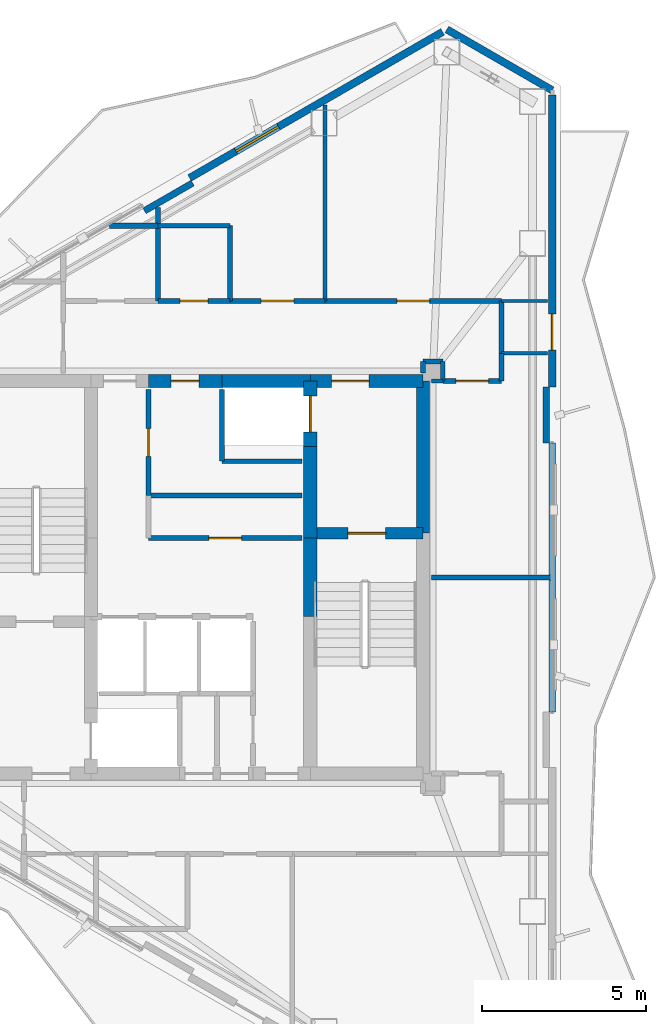
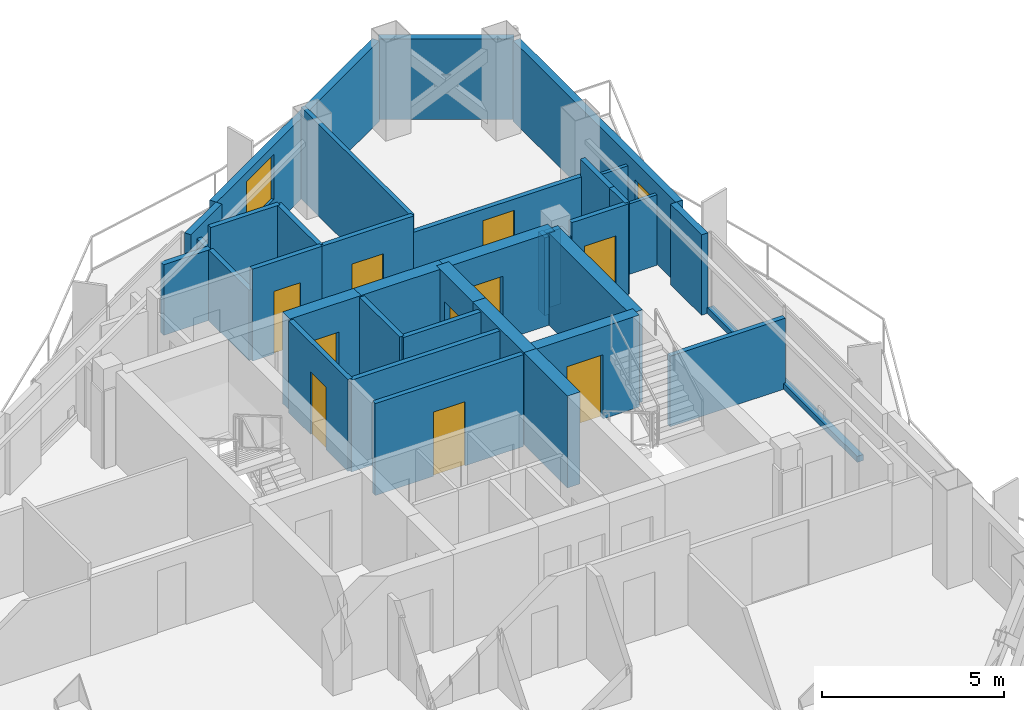
# One storey, part 16 of 18: 37 walls, 11 doors, 1 window, 12 openings.
"""IFC4 building model written with IfcOpenShell, lengths in metres."""

from ifc_helpers import new_model, si_unit, direction, frame, frame_2d, origin, place, context, subcontext, project, spatial, rectangle, extrude, material, layer, layer_set, type_object, element, fill, save


model = new_model("IFC4")

# Units and contexts
model_context = context("Model", 3, precision=1e-05, world=origin(), true_north=direction((0.0, 1.0)))
body_context = subcontext(model_context, "Body", "Model", "MODEL_VIEW")
ifc_project = project(units=[si_unit("LENGTHUNIT", "METRE"), si_unit("AREAUNIT", "SQUARE_METRE"), si_unit("VOLUMEUNIT", "CUBIC_METRE"), si_unit("PLANEANGLEUNIT", "RADIAN"), si_unit("MASSUNIT", "GRAM", prefix="KILO")], contexts=[model_context])

# Site, building, storey
site_placement = place(None, origin())
site = spatial("IfcSite", under=ifc_project, at=site_placement, CompositionType="ELEMENT")
building_placement = place(site_placement, origin())
building = spatial("IfcBuilding", under=site, at=building_placement, Name="Mersakhor Tower and Convention Hall", CompositionType="ELEMENT")
storey_placement = place(building_placement, frame((0.0, 0.0, 233.10009765625)))
storey = spatial("IfcBuildingStorey", under=building, at=storey_placement, Name="L65", CompositionType="ELEMENT", Elevation=233.10009765625)

# Wall
ifc_material_1 = material(Name="Precast concrete C40/50", Category="concrete")
ifc_layer_1 = layer(ifc_material_1, 0.22509765625)
ifc_layer_set_1 = layer_set([ifc_layer_1], Name="Precast concrete C40/50")
wall_type_1 = type_object("IfcWallType", Name="WL-EXT-225", PredefinedType="SOLIDWALL", material=ifc_layer_set_1)
wall_1_placement = place(storey_placement, frame((36.525146484375, 43.49951171875, 0.0), z_axis=(0.0, 0.0, 1.0), x_axis=(0.866038962515, -0.499976514854, 0.0)))
element("IfcWall", 1, at=wall_1_placement, inside=storey, type_object=wall_type_1, Name="L65 Chamfer Braced Spandrel Wall C1", PredefinedType="SOLIDWALL", context=body_context, shape_type="SweptSolid", body=[
    extrude(rectangle(XDim=3.715576171875, YDim=0.22509765625, at=frame_2d((1.85791015625, 0.0))), origin(), (0.0, 0.0, 1.0), 2.699951171875),
])

# Wall, opening, window
wall_2_placement = place(storey_placement, frame((28.66357421875, 38.96044921875, 0.0), z_axis=(0.0, 0.0, 1.0), x_axis=(0.866026655105, 0.499997832642, 0.0)))
wall_2 = element("IfcWall", 2, at=wall_2_placement, inside=storey, type_object=wall_type_1, Name="L65 Exterior Facade Wall F1-B3", PredefinedType="SOLIDWALL", context=body_context, shape_type="SweptSolid", body=[
    extrude(rectangle(XDim=8.927734375, YDim=0.22509765625, at=frame_2d((4.4638671875, 0.0))), origin(), (0.0, 0.0, 1.0), 2.699951171875),
])
opening_1_placement = place(wall_2_placement, frame((1.634033203125, 0.0, 0.89990234375)))
opening_1 = element("IfcOpeningElement", 3, at=opening_1_placement, cuts=wall_2, Name="Opening W-02", PredefinedType="OPENING", context=body_context, shape_type="SweptSolid", body=[
    extrude(rectangle(XDim=1.5, YDim=1.5, at=frame_2d((0.75, 0.75))), frame((0.0, 0.12255859375, 0.0), z_axis=(0.0, -1.0, 0.0), x_axis=(1.0, 0.0, 0.0)), (0.0, 0.0, 1.0), 0.2451171875),
])
ifc_material_2 = material(Name="Dark solar low-E glazed aluminium window", Category="aluminium")
window_type = type_object("IfcWindowType", Name="WN-RES-150x150", PartitioningType="SINGLE_PANEL", PredefinedType="WINDOW", material=ifc_material_2)
window_placement = place(opening_1_placement, origin())
window = element("IfcWindow", 4, at=window_placement, inside=storey, type_object=window_type, Name="L65 Facade Punched Window F1-B3", OverallHeight=1.5, OverallWidth=1.5, PartitioningType="SINGLE_PANEL", PredefinedType="WINDOW", context=body_context, shape_type="SweptSolid", body=[
    extrude(rectangle(XDim=1.5, YDim=1.5, at=frame_2d((0.75, 0.75))), frame((0.0, 0.030029296875, 0.0), z_axis=(0.0, -1.0, 0.0), x_axis=(1.0, 0.0, 0.0)), (0.0, 0.0, 1.0), 0.06005859375),
])
fill(opening_1, window)

# Wall, opening, door
wall_3_placement = place(storey_placement, frame((39.742919921875, 41.49169921875, 0.0), z_axis=(0.0, 0.0, 1.0), x_axis=(0.0, -1.0, 0.0)))
wall_3 = element("IfcWall", 5, at=wall_3_placement, inside=storey, type_object=wall_type_1, Name="L65 Exterior Facade Wall F2-B1", PredefinedType="SOLIDWALL", context=body_context, shape_type="SweptSolid", body=[
    extrude(rectangle(XDim=8.927734375, YDim=0.22509765625, at=frame_2d((4.4638671875, 0.0))), origin(), (0.0, 0.0, 1.0), 2.699951171875),
])
opening_2_placement = place(wall_3_placement, frame((6.696044921875, 0.0, 0.0)))
opening_2 = element("IfcOpeningElement", 6, at=opening_2_placement, cuts=wall_3, Name="Opening BD-02", PredefinedType="OPENING", context=body_context, shape_type="SweptSolid", body=[
    extrude(rectangle(XDim=1.10009765625, YDim=2.10009765625, at=frame_2d((0.550048828125, 1.050048828125))), frame((0.0, 0.12255859375, 0.0), z_axis=(0.0, -1.0, 0.0), x_axis=(1.0, 0.0, 0.0)), (0.0, 0.0, 1.0), 0.2451171875),
])
ifc_material_3 = material(Name="Thermally broken dark aluminium and safety glass", Category="aluminium")
door_type_1 = type_object("IfcDoorType", Name="DR-BAL-110x210", OperationType="NOTDEFINED", PredefinedType="DOOR", material=ifc_material_3)
door_1_placement = place(opening_2_placement, origin())
door_1 = element("IfcDoor", 7, at=door_1_placement, inside=storey, type_object=door_type_1, Name="L65 Balcony Terrace Door F2-B1", OperationType="SINGLE_SWING_RIGHT", OverallHeight=2.10009765625, OverallWidth=1.10009765625, PredefinedType="DOOR", context=body_context, shape_type="SweptSolid", body=[
    extrude(rectangle(XDim=1.10009765625, YDim=2.10009765625, at=frame_2d((0.550048828125, 1.050048828125))), frame((0.0, 0.02490234375, 0.0), z_axis=(0.0, -1.0, 0.0), x_axis=(1.0, 0.0, 0.0)), (0.0, 0.0, 1.0), 0.050048828125),
])
fill(opening_2, door_1)

# Walls
ifc_material_4 = material(Name="Precast concrete C40/50", Category="concrete")
ifc_layer_2 = layer(ifc_material_4, 0.199951171875)
ifc_layer_set_2 = layer_set([ifc_layer_2], Name="Precast concrete C40/50")
wall_type_2 = type_object("IfcWallType", Name="WL-PAR-200", PredefinedType="PARAPET", material=ifc_layer_set_2)
wall_4_placement = place(storey_placement, frame((27.28125, 37.95458984375, 0.0), z_axis=(0.0, 0.0, 1.0), x_axis=(0.866025371046, 0.500000056704, 0.0)))
element("IfcWall", 8, at=wall_4_placement, inside=storey, type_object=wall_type_2, Name="L65 Column Pier Cladding Wall F1-C2", PredefinedType="PARAPET", context=body_context, shape_type="SweptSolid", body=[
    extrude(rectangle(XDim=1.7001953125, YDim=0.199951171875, at=frame_2d((0.85009765625, 0.0))), origin(), (0.0, 0.0, 1.0), 2.699951171875),
])
wall_5_placement = place(storey_placement, frame((39.742919921875, 30.864013671875, 0.0), z_axis=(0.0, 0.0, 1.0), x_axis=(0.0, -1.0, 0.0)))
element("IfcWall", 9, at=wall_5_placement, inside=storey, type_object=wall_type_2, Name="L65 Curtain Wall Upstand Sill F2-B2", PredefinedType="PARAPET", context=body_context, shape_type="SweptSolid", body=[
    extrude(rectangle(XDim=8.22802734375, YDim=0.199951171875, at=frame_2d((4.114013671875, 0.0))), origin(), (0.0, 0.0, 1.0), 0.199951171875),
])
wall_6_placement = place(storey_placement, frame((39.562744140625, 32.56396484375, 0.0), z_axis=(0.0, 0.0, 1.0), x_axis=(0.0, -1.0, 0.0)))
element("IfcWall", 10, at=wall_6_placement, inside=storey, type_object=wall_type_2, Name="L65 Column Pier Cladding Wall F2-C1", PredefinedType="PARAPET", context=body_context, shape_type="SweptSolid", body=[
    extrude(rectangle(XDim=1.699951171875, YDim=0.199951171875, at=frame_2d((0.85009765625, 0.0))), origin(), (0.0, 0.0, 1.0), 2.699951171875),
])
ifc_material_5 = material(Name="Moisture-resistant acoustic drywall studwork", Category="other")
ifc_layer_3 = layer(ifc_material_5, 0.175048828125)
ifc_layer_set_3 = layer_set([ifc_layer_3], Name="Moisture-resistant acoustic drywall studwork")
wall_type_3 = type_object("IfcWallType", Name="WL-PLM-175", PredefinedType="PLUMBINGWALL", material=ifc_layer_set_3)
wall_7_placement = place(storey_placement, frame((26.20654296875, 37.5, 0.0), z_axis=(0.0, 0.0, 1.0), x_axis=(1.0, 0.0, 0.0)))
element("IfcWall", 11, at=wall_7_placement, inside=storey, type_object=wall_type_3, Name="L65 Interior Partition Wall P-041", PredefinedType="PLUMBINGWALL", context=body_context, shape_type="SweptSolid", body=[
    extrude(rectangle(XDim=1.493408203125, YDim=0.175048828125, at=frame_2d((0.74658203125, 0.0))), origin(), (0.0, 0.0, 1.0), 2.364990234375),
])
ifc_material_6 = material(Name="Lightweight gypsum partition", Category="other")
ifc_layer_4 = layer(ifc_material_6, 0.10009765625)
ifc_layer_set_4 = layer_set([ifc_layer_4], Name="Lightweight gypsum partition")
wall_type_4 = type_object("IfcWallType", Name="WL-PRT-100", PredefinedType="PARTITIONING", material=ifc_layer_set_4)
for number, where, z_axis, x_axis, name in (
    (12, (39.606201171875, 35.199951171875, 0.0), (0.0, 0.0, 1.0), (-1.0, 0.0, 0.0), "L65 Interior Partition Wall P-046"),
    (13, (38.199951171875, 33.60009765625, 0.0), (0.0, 0.0, 1.0), (1.0, 0.0, 0.0), "L65 Interior Partition Wall P-056"),
):
    element("IfcWall", number, at=place(storey_placement, frame(where, z_axis=z_axis, x_axis=x_axis)), inside=storey, type_object=wall_type_4, Name=name, PredefinedType="PARTITIONING", context=body_context, shape_type="SweptSolid", body=[
        extrude(rectangle(XDim=1.40625, YDim=0.10009765625, at=frame_2d((0.703125, 0.0))), origin(), (0.0, 0.0, 1.0), 2.364990234375),
    ])
ifc_material_7 = material(Name="Gypsum board acoustic partition", Category="other")
ifc_layer_5 = layer(ifc_material_7, 0.125)
ifc_layer_set_5 = layer_set([ifc_layer_5], Name="Gypsum board acoustic partition")
wall_type_5 = type_object("IfcWallType", Name="WL-PRT-125", PredefinedType="PARTITIONING", material=ifc_layer_set_5)
wall_8_placement = place(storey_placement, frame((32.800048828125, 35.199951171875, 0.0), z_axis=(0.0, 0.0, 1.0), x_axis=(0.0, 1.0, 0.0)))
element("IfcWall", 14, at=wall_8_placement, inside=storey, type_object=wall_type_5, Name="L65 Interior Partition Wall P-047", PredefinedType="PARTITIONING", context=body_context, shape_type="SweptSolid", body=[
    extrude(rectangle(XDim=5.990966796875, YDim=0.125, at=frame_2d((2.99560546875, 0.0))), origin(), (0.0, 0.0, 1.0), 3.079833984375),
])
wall_9_placement = place(storey_placement, frame((36.050048828125, 32.75, 0.0), z_axis=(0.0, 0.0, 1.0), x_axis=(1.0, 0.0, 0.0)))
element("IfcWall", 15, at=wall_9_placement, inside=storey, type_object=wall_type_5, Name="L65 Interior Partition Wall P-055", PredefinedType="PARTITIONING", context=body_context, shape_type="SweptSolid", body=[
    extrude(rectangle(XDim=0.349853515625, YDim=0.125, at=frame_2d((0.1748046875, 0.0))), origin(), (0.0, 0.0, 1.0), 2.60498046875),
])
ifc_material_8 = material(Name="Fire-rated gypsum board stud partition", Category="other")
ifc_layer_6 = layer(ifc_material_8, 0.14990234375)
ifc_layer_set_6 = layer_set([ifc_layer_6], Name="Fire-rated gypsum board stud partition")
wall_type_6 = type_object("IfcWallType", Name="WL-PRT-150", PredefinedType="PARTITIONING", material=ifc_layer_set_6)
wall_10_placement = place(storey_placement, frame((32.10009765625, 30.300048828125, 0.0), z_axis=(0.0, 0.0, 1.0), x_axis=(-1.0, 0.0, 0.0)))
element("IfcWall", 16, at=wall_10_placement, inside=storey, type_object=wall_type_6, Name="L65 Interior Partition Wall P-004", PredefinedType="PARTITIONING", context=body_context, shape_type="SweptSolid", body=[
    extrude(rectangle(XDim=2.4501953125, YDim=0.14990234375, at=frame_2d((1.22509765625, 0.0))), origin(), (0.0, 0.0, 1.0), 3.079833984375),
])
wall_11_placement = place(storey_placement, frame((29.64990234375, 30.300048828125, 0.0), z_axis=(0.0, 0.0, 1.0), x_axis=(0.0, 1.0, 0.0)))
element("IfcWall", 17, at=wall_11_placement, inside=storey, type_object=wall_type_6, Name="L65 Interior Partition Wall P-005", PredefinedType="PARTITIONING", context=body_context, shape_type="SweptSolid", body=[
    extrude(rectangle(XDim=2.199951171875, YDim=0.14990234375, at=frame_2d((1.10009765625, 0.0))), origin(), (0.0, 0.0, 1.0), 3.079833984375),
])

# Wall, opening, door
wall_12_placement = place(storey_placement, frame((27.39990234375, 32.5, 0.0), z_axis=(0.0, 0.0, 1.0), x_axis=(0.0, -1.0, 0.0)))
wall_12 = element("IfcWall", 18, at=wall_12_placement, inside=storey, type_object=wall_type_6, Name="L65 Interior Partition Wall P-013", PredefinedType="PARTITIONING", context=body_context, shape_type="SweptSolid", body=[
    extrude(rectangle(XDim=3.25, YDim=0.14990234375, at=frame_2d((1.625, 0.0))), origin(), (0.0, 0.0, 1.0), 3.079833984375),
])
opening_3_placement = place(wall_12_placement, frame((1.199951171875, 0.0, 0.0)))
opening_3 = element("IfcOpeningElement", 19, at=opening_3_placement, cuts=wall_12, Name="Opening SVD-01", PredefinedType="OPENING", context=body_context, shape_type="SweptSolid", body=[
    extrude(rectangle(XDim=0.85009765625, YDim=2.10009765625, at=frame_2d((0.425048828125, 1.050048828125))), frame((0.0, 0.0849609375, 0.0), z_axis=(0.0, -1.0, 0.0), x_axis=(1.0, 0.0, 0.0)), (0.0, 0.0, 1.0), 0.169921875),
])
ifc_material_9 = material(Name="Fire-rated hardwood leaf and painted steel frame", Category="steel")
door_type_2 = type_object("IfcDoorType", Name="DR-INT-SVC-085x210", OperationType="NOTDEFINED", PredefinedType="DOOR", material=ifc_material_9)
door_2_placement = place(opening_3_placement, origin())
door_2 = element("IfcDoor", 20, at=door_2_placement, inside=storey, type_object=door_type_2, Name="L65 Central Passenger Lift Lobby to Resident Recycling and Utility Store Door", OperationType="SINGLE_SWING_RIGHT", OverallHeight=2.10009765625, OverallWidth=0.85009765625, PredefinedType="DOOR", context=body_context, shape_type="SweptSolid", body=[
    extrude(rectangle(XDim=0.85009765625, YDim=2.10009765625, at=frame_2d((0.425048828125, 1.050048828125))), frame((0.0, 0.02490234375, 0.0), z_axis=(0.0, -1.0, 0.0), x_axis=(1.0, 0.0, 0.0)), (0.0, 0.0, 1.0), 0.050048828125),
])
fill(opening_3, door_2)

wall_13_placement = place(storey_placement, frame((27.39990234375, 27.949951171875, 0.0), z_axis=(0.0, 0.0, 1.0), x_axis=(1.0, 0.0, 0.0)))
wall_13 = element("IfcWall", 21, at=wall_13_placement, inside=storey, type_object=wall_type_6, Name="L65 Interior Partition Wall P-015", PredefinedType="PARTITIONING", context=body_context, shape_type="SweptSolid", body=[
    extrude(rectangle(XDim=4.7001953125, YDim=0.14990234375, at=frame_2d((2.35009765625, 0.0))), origin(), (0.0, 0.0, 1.0), 3.079833984375),
])
opening_4_placement = place(wall_13_placement, frame((1.85009765625, 0.0, 0.0)))
opening_4 = element("IfcOpeningElement", 22, at=opening_4_placement, cuts=wall_13, Name="Opening FD-01", PredefinedType="OPENING", context=body_context, shape_type="SweptSolid", body=[
    extrude(rectangle(XDim=1.0, YDim=2.14990234375, at=frame_2d((0.5, 1.074951171875))), frame((0.0, 0.0849609375, 0.0), z_axis=(0.0, -1.0, 0.0), x_axis=(1.0, 0.0, 0.0)), (0.0, 0.0, 1.0), 0.169921875),
])
ifc_material_10 = material(Name="Fire-rated hardwood leaf and painted steel frame", Category="steel")
door_type_3 = type_object("IfcDoorType", Name="DR-INT-FLT-100x215", OperationType="NOTDEFINED", PredefinedType="DOOR", material=ifc_material_10)
door_3_placement = place(opening_4_placement, origin())
door_3 = element("IfcDoor", 23, at=door_3_placement, inside=storey, type_object=door_type_3, Name="L65 Central Passenger Lift Lobby to Household Laundry Room Door", OperationType="SINGLE_SWING_LEFT", OverallHeight=2.14990234375, OverallWidth=1.0, PredefinedType="DOOR", context=body_context, shape_type="SweptSolid", body=[
    extrude(rectangle(XDim=1.0, YDim=2.14990234375, at=frame_2d((0.5, 1.074951171875))), frame((0.0, 0.02490234375, 0.0), z_axis=(0.0, -1.0, 0.0), x_axis=(1.0, 0.0, 0.0)), (0.0, 0.0, 1.0), 0.050048828125),
])
fill(opening_4, door_3)

wall_14_placement = place(storey_placement, frame((27.699951171875, 35.199951171875, 0.0), z_axis=(0.0, 0.0, 1.0), x_axis=(1.0, 0.0, 0.0)))
wall_14 = element("IfcWall", 24, at=wall_14_placement, inside=storey, type_object=wall_type_6, Name="L65 Interior Partition Wall P-017", PredefinedType="PARTITIONING", context=body_context, shape_type="SweptSolid", body=[
    extrude(rectangle(XDim=2.199951171875, YDim=0.14990234375, at=frame_2d((1.10009765625, 0.0))), origin(), (0.0, 0.0, 1.0), 3.079833984375),
])
opening_5_placement = place(wall_14_placement, frame((0.675048828125, 0.0, 0.0)))
opening_5 = element("IfcOpeningElement", 25, at=opening_5_placement, cuts=wall_14, Name="Opening SVD-01", PredefinedType="OPENING", context=body_context, shape_type="SweptSolid", body=[
    extrude(rectangle(XDim=0.85009765625, YDim=2.10009765625, at=frame_2d((0.425048828125, 1.050048828125))), frame((0.0, 0.0849609375, 0.0), z_axis=(0.0, -1.0, 0.0), x_axis=(1.0, 0.0, 0.0)), (0.0, 0.0, 1.0), 0.169921875),
])
door_4_placement = place(opening_5_placement, origin())
door_4 = element("IfcDoor", 26, at=door_4_placement, inside=storey, type_object=door_type_2, Name="L65 Residential North Gallery Corridor to L65 Floor Household Store Room 1-2 Door", OperationType="SINGLE_SWING_LEFT", OverallHeight=2.10009765625, OverallWidth=0.85009765625, PredefinedType="DOOR", context=body_context, shape_type="SweptSolid", body=[
    extrude(rectangle(XDim=0.85009765625, YDim=2.10009765625, at=frame_2d((0.425048828125, 1.050048828125))), frame((0.0, 0.02490234375, 0.0), z_axis=(0.0, -1.0, 0.0), x_axis=(1.0, 0.0, 0.0)), (0.0, 0.0, 1.0), 0.050048828125),
])
fill(opening_5, door_4)

wall_15_placement = place(storey_placement, frame((29.89990234375, 35.199951171875, 0.0), z_axis=(0.0, 0.0, 1.0), x_axis=(1.0, 0.0, 0.0)))
wall_15 = element("IfcWall", 27, at=wall_15_placement, inside=storey, type_object=wall_type_6, Name="L65 Interior Partition Wall P-018", PredefinedType="PARTITIONING", context=body_context, shape_type="SweptSolid", body=[
    extrude(rectangle(XDim=2.900146484375, YDim=0.14990234375, at=frame_2d((1.4501953125, 0.0))), origin(), (0.0, 0.0, 1.0), 3.079833984375),
])
opening_6_placement = place(wall_15_placement, frame((0.949951171875, 0.0, 0.0)))
opening_6 = element("IfcOpeningElement", 28, at=opening_6_placement, cuts=wall_15, Name="Opening FD-01", PredefinedType="OPENING", context=body_context, shape_type="SweptSolid", body=[
    extrude(rectangle(XDim=1.0, YDim=2.14990234375, at=frame_2d((0.5, 1.074951171875))), frame((0.0, 0.0849609375, 0.0), z_axis=(0.0, -1.0, 0.0), x_axis=(1.0, 0.0, 0.0)), (0.0, 0.0, 1.0), 0.169921875),
])
door_5_placement = place(opening_6_placement, origin())
door_5 = element("IfcDoor", 29, at=door_5_placement, inside=storey, type_object=door_type_3, Name="L65 Residential North Gallery Corridor to L65 Floor Shared Tea Pantry 1-3 Door", OperationType="SINGLE_SWING_RIGHT", OverallHeight=2.14990234375, OverallWidth=1.0, PredefinedType="DOOR", context=body_context, shape_type="SweptSolid", body=[
    extrude(rectangle(XDim=1.0, YDim=2.14990234375, at=frame_2d((0.5, 1.074951171875))), frame((0.0, 0.02490234375, 0.0), z_axis=(0.0, -1.0, 0.0), x_axis=(1.0, 0.0, 0.0)), (0.0, 0.0, 1.0), 0.050048828125),
])
fill(opening_6, door_5)

wall_16_placement = place(storey_placement, frame((32.800048828125, 35.199951171875, 0.0), z_axis=(0.0, 0.0, 1.0), x_axis=(1.0, 0.0, 0.0)))
wall_16 = element("IfcWall", 30, at=wall_16_placement, inside=storey, type_object=wall_type_6, Name="L65 Interior Partition Wall P-019", PredefinedType="PARTITIONING", context=body_context, shape_type="SweptSolid", body=[
    extrude(rectangle(XDim=5.39990234375, YDim=0.14990234375, at=frame_2d((2.699951171875, 0.0))), origin(), (0.0, 0.0, 1.0), 2.5283203125),
])
opening_7_placement = place(wall_16_placement, frame((2.199951171875, 0.0, 0.0)))
opening_7 = element("IfcOpeningElement", 31, at=opening_7_placement, cuts=wall_16, Name="Opening FD-01", PredefinedType="OPENING", context=body_context, shape_type="SweptSolid", body=[
    extrude(rectangle(XDim=1.0, YDim=2.14990234375, at=frame_2d((0.5, 1.074951171875))), frame((0.0, 0.0849609375, 0.0), z_axis=(0.0, -1.0, 0.0), x_axis=(1.0, 0.0, 0.0)), (0.0, 0.0, 1.0), 0.169921875),
])
door_6_placement = place(opening_7_placement, origin())
door_6 = element("IfcDoor", 32, at=door_6_placement, inside=storey, type_object=door_type_3, Name="L65 Residential North Gallery Corridor to L65 North-East Co-Working Office Door", OperationType="SINGLE_SWING_LEFT", OverallHeight=2.14990234375, OverallWidth=1.0, PredefinedType="DOOR", context=body_context, shape_type="SweptSolid", body=[
    extrude(rectangle(XDim=1.0, YDim=2.14990234375, at=frame_2d((0.5, 1.074951171875))), frame((0.0, 0.02490234375, 0.0), z_axis=(0.0, -1.0, 0.0), x_axis=(1.0, 0.0, 0.0)), (0.0, 0.0, 1.0), 0.050048828125),
])
fill(opening_7, door_6)

# Walls
wall_17_placement = place(storey_placement, frame((38.199951171875, 35.199951171875, 0.0), z_axis=(0.0, 0.0, 1.0), x_axis=(0.0, -1.0, 0.0)))
element("IfcWall", 33, at=wall_17_placement, inside=storey, type_object=wall_type_6, Name="L65 Interior Partition Wall P-020", PredefinedType="PARTITIONING", context=body_context, shape_type="SweptSolid", body=[
    extrude(rectangle(XDim=1.599853515625, YDim=0.14990234375, at=frame_2d((0.7998046875, 0.0))), origin(), (0.0, 0.0, 1.0), 3.079833984375),
])
wall_18_placement = place(storey_placement, frame((38.199951171875, 33.60009765625, 0.0), z_axis=(0.0, 0.0, 1.0), x_axis=(0.0, -1.0, 0.0)))
element("IfcWall", 34, at=wall_18_placement, inside=storey, type_object=wall_type_6, Name="L65 Interior Partition Wall P-021", PredefinedType="PARTITIONING", context=body_context, shape_type="SweptSolid", body=[
    extrude(rectangle(XDim=0.85009765625, YDim=0.14990234375, at=frame_2d((0.425048828125, 0.0))), origin(), (0.0, 0.0, 1.0), 3.079833984375),
])

# Wall, opening, door
wall_19_placement = place(storey_placement, frame((38.199951171875, 32.75, 0.0), z_axis=(0.0, 0.0, 1.0), x_axis=(-1.0, 0.0, 0.0)))
wall_19 = element("IfcWall", 35, at=wall_19_placement, inside=storey, type_object=wall_type_6, Name="L65 Interior Partition Wall P-022", PredefinedType="PARTITIONING", context=body_context, shape_type="SweptSolid", body=[
    extrude(rectangle(XDim=1.800048828125, YDim=0.14990234375, at=frame_2d((0.89990234375, 0.0))), origin(), (0.0, 0.0, 1.0), 3.079833984375),
])
opening_8_placement = place(wall_19_placement, frame((0.39990234375, 0.0, 0.0)))
opening_8 = element("IfcOpeningElement", 36, at=opening_8_placement, cuts=wall_19, Name="Opening FD-01", PredefinedType="OPENING", context=body_context, shape_type="SweptSolid", body=[
    extrude(rectangle(XDim=1.0, YDim=2.14990234375, at=frame_2d((0.5, 1.074951171875))), frame((0.0, 0.0849609375, 0.0), z_axis=(0.0, -1.0, 0.0), x_axis=(1.0, 0.0, 0.0)), (0.0, 0.0, 1.0), 0.169921875),
])
door_7_placement = place(opening_8_placement, origin())
door_7 = element("IfcDoor", 37, at=door_7_placement, inside=storey, type_object=door_type_3, Name="L65 Residential North Gallery Corridor to L65 East Crown Sky Study Lounge Door", OperationType="SINGLE_SWING_RIGHT", OverallHeight=2.14990234375, OverallWidth=1.0, PredefinedType="DOOR", context=body_context, shape_type="SweptSolid", body=[
    extrude(rectangle(XDim=1.0, YDim=2.14990234375, at=frame_2d((0.5, 1.074951171875))), frame((0.0, 0.02490234375, 0.0), z_axis=(0.0, -1.0, 0.0), x_axis=(1.0, 0.0, 0.0)), (0.0, 0.0, 1.0), 0.050048828125),
])
fill(opening_8, door_7)

# Walls
wall_20_placement = place(storey_placement, frame((36.39990234375, 32.75, 0.0), z_axis=(0.0, 0.0, 1.0), x_axis=(0.0, 1.0, 0.0)))
element("IfcWall", 38, at=wall_20_placement, inside=storey, type_object=wall_type_6, Name="L65 Interior Partition Wall P-023", PredefinedType="PARTITIONING", context=body_context, shape_type="SweptSolid", body=[
    extrude(rectangle(XDim=0.60009765625, YDim=0.14990234375, at=frame_2d((0.300048828125, 0.0))), origin(), (0.0, 0.0, 1.0), 2.5283203125),
])
wall_21_placement = place(storey_placement, frame((36.39990234375, 33.35009765625, 0.0), z_axis=(0.0, 0.0, 1.0), x_axis=(-1.0, 0.0, 0.0)))
element("IfcWall", 39, at=wall_21_placement, inside=storey, type_object=wall_type_6, Name="L65 Interior Partition Wall P-024", PredefinedType="PARTITIONING", context=body_context, shape_type="SweptSolid", body=[
    extrude(rectangle(XDim=0.599853515625, YDim=0.14990234375, at=frame_2d((0.2998046875, 0.0))), origin(), (0.0, 0.0, 1.0), 2.5283203125),
])
wall_22_placement = place(storey_placement, frame((35.800048828125, 33.35009765625, 0.0), z_axis=(0.0, 0.0, 1.0), x_axis=(0.0, -1.0, 0.0)))
element("IfcWall", 40, at=wall_22_placement, inside=storey, type_object=wall_type_6, Name="L65 Interior Partition Wall P-025", PredefinedType="PARTITIONING", context=body_context, shape_type="SweptSolid", body=[
    extrude(rectangle(XDim=0.35009765625, YDim=0.14990234375, at=frame_2d((0.175048828125, 0.0))), origin(), (0.0, 0.0, 1.0), 2.60498046875),
])
wall_23_placement = place(storey_placement, frame((27.699951171875, 38.052978515625, 0.0), z_axis=(0.0, 0.0, 1.0), x_axis=(0.0, -1.0, 0.0)))
element("IfcWall", 41, at=wall_23_placement, inside=storey, type_object=wall_type_6, Name="L65 Interior Partition Wall P-038", PredefinedType="PARTITIONING", context=body_context, shape_type="SweptSolid", body=[
    extrude(rectangle(XDim=2.85302734375, YDim=0.14990234375, at=frame_2d((1.426513671875, 0.0))), origin(), (0.0, 0.0, 1.0), 2.364990234375),
])
wall_24_placement = place(storey_placement, frame((32.10009765625, 29.25, 0.0), z_axis=(0.0, 0.0, 1.0), x_axis=(-1.0, 0.0, 0.0)))
element("IfcWall", 42, at=wall_24_placement, inside=storey, type_object=wall_type_6, Name="L65 Interior Partition Wall P-044", PredefinedType="PARTITIONING", context=body_context, shape_type="SweptSolid", body=[
    extrude(rectangle(XDim=4.7001953125, YDim=0.14990234375, at=frame_2d((2.35009765625, 0.0))), origin(), (0.0, 0.0, 1.0), 3.079833984375),
])
wall_25_placement = place(storey_placement, frame((39.702880859375, 26.75, 0.0), z_axis=(0.0, 0.0, 1.0), x_axis=(-1.0, 0.0, 0.0)))
element("IfcWall", 43, at=wall_25_placement, inside=storey, type_object=wall_type_6, Name="L65 Interior Partition Wall P-057", PredefinedType="PARTITIONING", context=body_context, shape_type="SweptSolid", body=[
    extrude(rectangle(XDim=3.65283203125, YDim=0.14990234375, at=frame_2d((1.826416015625, 0.0))), origin(), (0.0, 0.0, 1.0), 2.364990234375),
])
wall_26_placement = place(storey_placement, frame((27.699951171875, 37.5, 0.0), z_axis=(0.0, 0.0, 1.0), x_axis=(1.0, 0.0, 0.0)))
element("IfcWall", 44, at=wall_26_placement, inside=storey, type_object=wall_type_6, Name="L65 Interior Partition Wall P-060", PredefinedType="PARTITIONING", context=body_context, shape_type="SweptSolid", body=[
    extrude(rectangle(XDim=2.199951171875, YDim=0.14990234375, at=frame_2d((1.10009765625, 0.0))), origin(), (0.0, 0.0, 1.0), 3.079833984375),
])
wall_27_placement = place(storey_placement, frame((29.89990234375, 37.5, 0.0), z_axis=(0.0, 0.0, 1.0), x_axis=(0.0, -1.0, 0.0)))
element("IfcWall", 45, at=wall_27_placement, inside=storey, type_object=wall_type_6, Name="L65 Interior Partition Wall P-061", PredefinedType="PARTITIONING", context=body_context, shape_type="SweptSolid", body=[
    extrude(rectangle(XDim=2.300048828125, YDim=0.14990234375, at=frame_2d((1.14990234375, 0.0))), origin(), (0.0, 0.0, 1.0), 3.079833984375),
])

# Wall, opening, door
ifc_material_11 = material(Name="Concrete C50/60", Category="concrete")
ifc_layer_7 = layer(ifc_material_11, 0.35009765625)
ifc_layer_set_7 = layer_set([ifc_layer_7], Name="Concrete C50/60")
wall_type_7 = type_object("IfcWallType", Name="WL-SHR-350", PredefinedType="SHEAR", material=ifc_layer_set_7)
wall_28_placement = place(storey_placement, frame((32.35009765625, 28.10009765625, 0.0), z_axis=(0.0, 0.0, 1.0), x_axis=(1.0, 0.0, 0.0)))
wall_28 = element("IfcWall", 46, at=wall_28_placement, inside=storey, type_object=wall_type_7, Name="L65 Core Wall CS-ST2-N", PredefinedType="SHEAR", context=body_context, shape_type="SweptSolid", body=[
    extrude(rectangle(XDim=3.449951171875, YDim=0.35009765625, at=frame_2d((1.72509765625, 0.0))), origin(), (0.0, 0.0, 1.0), 3.079833984375),
])
opening_9_placement = place(wall_28_placement, frame((1.14990234375, 0.0, 0.0)))
opening_9 = element("IfcOpeningElement", 47, at=opening_9_placement, cuts=wall_28, Name="Opening SD-01", PredefinedType="OPENING", context=body_context, shape_type="SweptSolid", body=[
    extrude(rectangle(XDim=1.14990234375, YDim=2.14990234375, at=frame_2d((0.574951171875, 1.074951171875))), frame((0.0, 0.18505859375, 0.0), z_axis=(0.0, -1.0, 0.0), x_axis=(1.0, 0.0, 0.0)), (0.0, 0.0, 1.0), 0.3701171875),
])
ifc_material_12 = material(Name="Fire-rated hardwood leaf and painted steel frame", Category="steel")
door_type_4 = type_object("IfcDoorType", Name="DR-INT-STAIR-115x215", OperationType="NOTDEFINED", PredefinedType="DOOR", material=ifc_material_12)
door_8_placement = place(opening_9_placement, origin())
door_8 = element("IfcDoor", 48, at=door_8_placement, inside=storey, type_object=door_type_4, Name="L65 Exit Stair ST-2 Enclosure Door", OperationType="SINGLE_SWING_RIGHT", OverallHeight=2.14990234375, OverallWidth=1.14990234375, PredefinedType="DOOR", context=body_context, shape_type="SweptSolid", body=[
    extrude(rectangle(XDim=1.14990234375, YDim=2.14990234375, at=frame_2d((0.574951171875, 1.074951171875))), frame((0.0, 0.02490234375, 0.0), z_axis=(0.0, -1.0, 0.0), x_axis=(1.0, 0.0, 0.0)), (0.0, 0.0, 1.0), 0.050048828125),
])
fill(opening_9, door_8)

ifc_material_13 = material(Name="Concrete C60/75", Category="concrete")
ifc_layer_8 = layer(ifc_material_13, 0.39990234375)
ifc_layer_set_8 = layer_set([ifc_layer_8], Name="Concrete C60/75")
wall_type_8 = type_object("IfcWallType", Name="WL-SHR-400", PredefinedType="SHEAR", material=ifc_layer_set_8)
wall_29_placement = place(storey_placement, frame((27.39990234375, 32.75, 0.0), z_axis=(0.0, 0.0, 1.0), x_axis=(1.0, 0.0, 0.0)))
wall_29 = element("IfcWall", 49, at=wall_29_placement, inside=storey, type_object=wall_type_8, Name="L65 Core Wall CW-N2B", PredefinedType="SHEAR", context=body_context, shape_type="SweptSolid", body=[
    extrude(rectangle(XDim=2.25, YDim=0.39990234375, at=frame_2d((1.125, 0.0))), origin(), (0.0, 0.0, 1.0), 3.079833984375),
])
opening_10_placement = place(wall_29_placement, frame((0.699951171875, 0.0, 0.0)))
opening_10 = element("IfcOpeningElement", 50, at=opening_10_placement, cuts=wall_29, Name="Opening SVD-01", PredefinedType="OPENING", context=body_context, shape_type="SweptSolid", body=[
    extrude(rectangle(XDim=0.85009765625, YDim=2.10009765625, at=frame_2d((0.425048828125, 1.050048828125))), frame((0.0, 0.2099609375, 0.0), z_axis=(0.0, -1.0, 0.0), x_axis=(1.0, 0.0, 0.0)), (0.0, 0.0, 1.0), 0.419921875),
])
door_9_placement = place(opening_10_placement, origin())
door_9 = element("IfcDoor", 51, at=door_9_placement, inside=storey, type_object=door_type_2, Name="L65 Residential North Gallery Corridor to Resident Recycling and Utility Store Door", OperationType="SINGLE_SWING_RIGHT", OverallHeight=2.10009765625, OverallWidth=0.85009765625, PredefinedType="DOOR", context=body_context, shape_type="SweptSolid", body=[
    extrude(rectangle(XDim=0.85009765625, YDim=2.10009765625, at=frame_2d((0.425048828125, 1.050048828125))), frame((0.0, 0.02490234375, 0.0), z_axis=(0.0, -1.0, 0.0), x_axis=(1.0, 0.0, 0.0)), (0.0, 0.0, 1.0), 0.050048828125),
])
fill(opening_10, door_9)

# Wall
wall_30_placement = place(storey_placement, frame((29.64990234375, 32.75, 0.0), z_axis=(0.0, 0.0, 1.0), x_axis=(1.0, 0.0, 0.0)))
element("IfcWall", 52, at=wall_30_placement, inside=storey, type_object=wall_type_8, Name="L65 Core Wall CW-N3", PredefinedType="SHEAR", context=body_context, shape_type="SweptSolid", body=[
    extrude(rectangle(XDim=2.7001953125, YDim=0.39990234375, at=frame_2d((1.35009765625, 0.0))), origin(), (0.0, 0.0, 1.0), 3.079833984375),
])

# Wall, opening, door
wall_31_placement = place(storey_placement, frame((32.35009765625, 32.75, 0.0), z_axis=(0.0, 0.0, 1.0), x_axis=(1.0, 0.0, 0.0)))
wall_31 = element("IfcWall", 53, at=wall_31_placement, inside=storey, type_object=wall_type_8, Name="L65 Core Wall CW-N4", PredefinedType="SHEAR", context=body_context, shape_type="SweptSolid", body=[
    extrude(rectangle(XDim=3.449951171875, YDim=0.39990234375, at=frame_2d((1.72509765625, 0.0))), origin(), (0.0, 0.0, 1.0), 3.079833984375),
])
opening_11_placement = place(wall_31_placement, frame((0.64990234375, 0.0, 0.0)))
opening_11 = element("IfcOpeningElement", 54, at=opening_11_placement, cuts=wall_31, Name="Opening SD-01", PredefinedType="OPENING", context=body_context, shape_type="SweptSolid", body=[
    extrude(rectangle(XDim=1.14990234375, YDim=2.14990234375, at=frame_2d((0.574951171875, 1.074951171875))), frame((0.0, 0.2099609375, 0.0), z_axis=(0.0, -1.0, 0.0), x_axis=(1.0, 0.0, 0.0)), (0.0, 0.0, 1.0), 0.419921875),
])
door_10_placement = place(opening_11_placement, origin())
door_10 = element("IfcDoor", 55, at=door_10_placement, inside=storey, type_object=door_type_4, Name="L65 Firefighting Lobby East Fire Door", OperationType="SINGLE_SWING_RIGHT", OverallHeight=2.14990234375, OverallWidth=1.14990234375, PredefinedType="DOOR", context=body_context, shape_type="SweptSolid", body=[
    extrude(rectangle(XDim=1.14990234375, YDim=2.14990234375, at=frame_2d((0.574951171875, 1.074951171875))), frame((0.0, 0.02490234375, 0.0), z_axis=(0.0, -1.0, 0.0), x_axis=(1.0, 0.0, 0.0)), (0.0, 0.0, 1.0), 0.050048828125),
])
fill(opening_11, door_10)

# Walls
wall_32_placement = place(storey_placement, frame((35.800048828125, 32.75, 0.0), z_axis=(0.0, 0.0, 1.0), x_axis=(0.0, -1.0, 0.0)))
element("IfcWall", 56, at=wall_32_placement, inside=storey, type_object=wall_type_8, Name="L65 Core Wall CW-E1", PredefinedType="SHEAR", context=body_context, shape_type="SweptSolid", body=[
    extrude(rectangle(XDim=4.64990234375, YDim=0.39990234375, at=frame_2d((2.324951171875, 0.0))), origin(), (0.0, 0.0, 1.0), 3.079833984375),
])
wall_33_placement = place(storey_placement, frame((32.35009765625, 25.550048828125, 0.0), z_axis=(0.0, 0.0, 1.0), x_axis=(0.0, 1.0, 0.0)))
element("IfcWall", 57, at=wall_33_placement, inside=storey, type_object=wall_type_8, Name="L65 Core Wall CS-E-LOB", PredefinedType="SHEAR", context=body_context, shape_type="SweptSolid", body=[
    extrude(rectangle(XDim=2.39990234375, YDim=0.39990234375, at=frame_2d((1.199951171875, 0.0))), origin(), (0.0, 0.0, 1.0), 3.079833984375),
])
wall_34_placement = place(storey_placement, frame((32.35009765625, 27.949951171875, 0.0), z_axis=(0.0, 0.0, 1.0), x_axis=(0.0, 1.0, 0.0)))
element("IfcWall", 58, at=wall_34_placement, inside=storey, type_object=wall_type_8, Name="L65 Core Wall CS-E-MID", PredefinedType="SHEAR", context=body_context, shape_type="SweptSolid", body=[
    extrude(rectangle(XDim=2.800048828125, YDim=0.39990234375, at=frame_2d((1.39990234375, 0.0))), origin(), (0.0, 0.0, 1.0), 3.079833984375),
])

# Wall, opening, door
wall_35_placement = place(storey_placement, frame((32.35009765625, 30.75, 0.0), z_axis=(0.0, 0.0, 1.0), x_axis=(0.0, 1.0, 0.0)))
wall_35 = element("IfcWall", 59, at=wall_35_placement, inside=storey, type_object=wall_type_8, Name="L65 Core Wall CS-E-FFL", PredefinedType="SHEAR", context=body_context, shape_type="SweptSolid", body=[
    extrude(rectangle(XDim=2.0, YDim=0.39990234375, at=frame_2d((1.0, 0.0))), origin(), (0.0, 0.0, 1.0), 3.079833984375),
])
opening_12_placement = place(wall_35_placement, frame((0.449951171875, 0.0, 0.0)))
opening_12 = element("IfcOpeningElement", 60, at=opening_12_placement, cuts=wall_35, Name="Opening LD-FFL2", PredefinedType="OPENING", context=body_context, shape_type="SweptSolid", body=[
    extrude(rectangle(XDim=1.10009765625, YDim=2.14990234375, at=frame_2d((0.550048828125, 1.074951171875))), frame((0.0, 0.2099609375, 0.0), z_axis=(0.0, -1.0, 0.0), x_axis=(1.0, 0.0, 0.0)), (0.0, 0.0, 1.0), 0.419921875),
])
ifc_material_14 = material(Name="Fire-rated brushed stainless steel sliding landing door", Category="steel")
door_type_5 = type_object("IfcDoorType", Name="DR-LIFT-SLD-110x215", OperationType="NOTDEFINED", PredefinedType="DOOR", material=ifc_material_14)
door_11_placement = place(opening_12_placement, origin())
door_11 = element("IfcDoor", 61, at=door_11_placement, inside=storey, type_object=door_type_5, Name="L65 Firefighting Lift Landing Door LD-FFL2", OperationType="SLIDING_TO_LEFT", OverallHeight=2.14990234375, OverallWidth=1.10009765625, PredefinedType="DOOR", context=body_context, shape_type="SweptSolid", body=[
    extrude(rectangle(XDim=1.10009765625, YDim=2.14990234375, at=frame_2d((0.550048828125, 1.074951171875))), frame((0.0, 0.02490234375, 0.0), z_axis=(0.0, -1.0, 0.0), x_axis=(1.0, 0.0, 0.0)), (0.0, 0.0, 1.0), 0.050048828125),
])
fill(opening_12, door_11)

save(model, "model.ifc")
